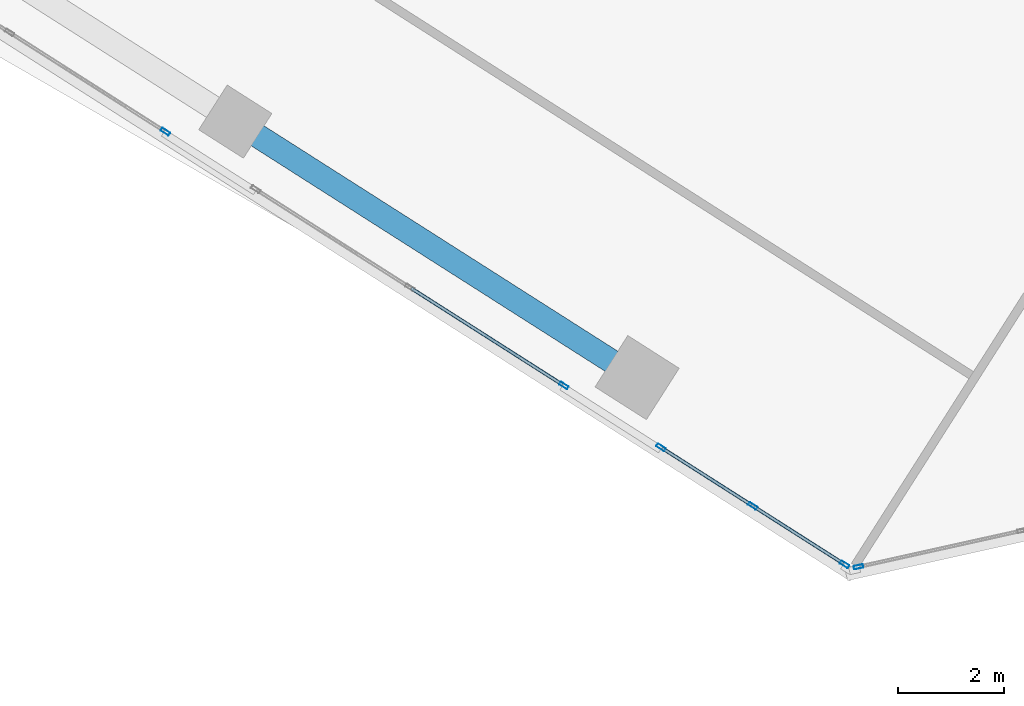
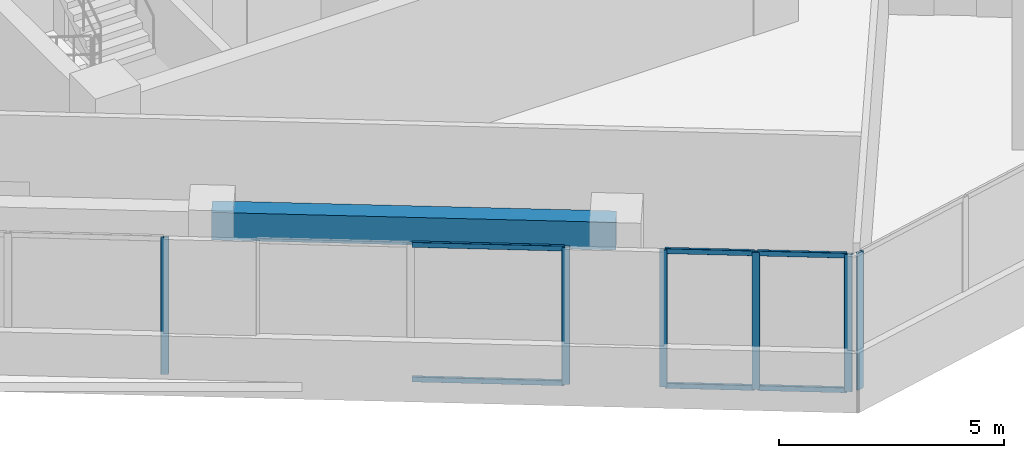
# One storey, part 3 of 23: 12 members, 1 beam, 4 elements without a shape of their own.
"""IFC4 building model written with IfcOpenShell, lengths in metres."""

from ifc_helpers import new_model, si_unit, direction, frame, origin, origin_2d, place, context, subcontext, project, spatial, rectangle, hollow_rectangle, extrude, source, transform, mapped, material, material_profile, profile_set, type_object, element, aggregate, save


model = new_model("IFC4")

# Units and contexts
model_context = context("Model", 3, precision=1e-05, world=origin(), true_north=direction((0.0, 1.0)))
body_context = subcontext(model_context, "Body", "Model", "MODEL_VIEW")
ifc_project = project(units=[si_unit("LENGTHUNIT", "METRE"), si_unit("AREAUNIT", "SQUARE_METRE"), si_unit("VOLUMEUNIT", "CUBIC_METRE"), si_unit("PLANEANGLEUNIT", "RADIAN"), si_unit("MASSUNIT", "GRAM", prefix="KILO")], contexts=[model_context])

# Site, building, storey
site_placement = place(None, origin())
site = spatial("IfcSite", under=ifc_project, at=site_placement, CompositionType="ELEMENT")
building_placement = place(site_placement, origin())
building = spatial("IfcBuilding", under=site, at=building_placement, Name="Torre Montelarca", CompositionType="ELEMENT")
storey_placement = place(building_placement, frame((0.0, 0.0, 187.60009765625)))
storey = spatial("IfcBuildingStorey", under=building, at=storey_placement, Name="L42", CompositionType="ELEMENT", Elevation=187.60009765625)

# Beam
ifc_material_1 = material(Name="Concrete C55/67", Category="concrete")
ifc_material_profile_1 = material_profile(ifc_material_1, rectangle(XDim=0.449951171875, YDim=0.75, at=origin_2d()), Name="RCB450X750", Category="concrete")
ifc_profile_set_1 = profile_set([ifc_material_profile_1], Name="Concrete C55/67")
beam_type = type_object("IfcBeamType", Name="BM-SP-RC750-EXT", PredefinedType="SPANDREL", material=ifc_profile_set_1)
shared_shape_1 = source(origin(), body_context, "Body", "SweptSolid", [
    extrude(rectangle(XDim=0.449951171875, YDim=0.75, at=origin_2d()), origin(), (0.0, 0.0, 1.0), 9.0),
])
beam_placement = place(storey_placement, frame((9.306640625, 19.374267578125, 3.5849609375), z_axis=(0.843393307865, -0.5372966855, 0.0), x_axis=(0.5372966855, 0.843393307865, 0.0)))
element("IfcBeam", 1, at=beam_placement, inside=storey, type_object=beam_type, Name="L42 Grid Girder X 18.0-27.0 at Y=14.8", PredefinedType="SPANDREL", context=body_context, shape_type="MappedRepresentation", body=[
    mapped(shared_shape_1, transform((0.0, 0.0, 0.0), scale=1.0)),
])

# Curtain wall, member
ifc_material_2 = material(Name="Insulated low-E laminated glass", Category="glass")
curtain_wall_type = type_object("IfcCurtainWallType", Name="CW-SYS-Z2", PredefinedType="USERDEFINED", material=ifc_material_2)
curtain_wall_1_placement = place(storey_placement, origin())
curtain_wall_1 = element("IfcCurtainWall", 2, at=curtain_wall_1_placement, inside=storey, type_object=curtain_wall_type, Name="L42 Curtain Wall Run CW-T3-L42-E01-B1", ObjectType="UNITISED GLAZING", PredefinedType="USERDEFINED")
ifc_material_3 = material(Name="Anodised aluminium AA 6063-T6", Category="aluminium")
ifc_material_profile_2 = material_profile(ifc_material_3, hollow_rectangle(XDim=0.06494140625, YDim=0.179931640625, WallThickness=0.00390625, InnerFilletRadius=0.00390625, OuterFilletRadius=0.008056640625, at=origin_2d()), Name="ALU65X180X4", Category="aluminium")
ifc_profile_set_2 = profile_set([ifc_material_profile_2], Name="Anodised aluminium AA 6063-T6")
member_type_1 = type_object("IfcMemberType", Name="CWM-ALU180", PredefinedType="MULLION", material=ifc_profile_set_2)
shared_shape_2 = source(origin(), body_context, "Body", "SweptSolid", [
    extrude(hollow_rectangle(XDim=0.06494140625, YDim=0.179931640625, WallThickness=0.00390625, InnerFilletRadius=0.00390625, OuterFilletRadius=0.008056640625, at=origin_2d()), origin(), (0.0, 0.0, 1.0), 3.719970703125),
])
member_1_placement = place(storey_placement, frame((7.985107421875, 19.1845703125, 0.0), z_axis=(0.0, 0.0, 1.0), x_axis=(0.537305573022, 0.843387645866, 0.0)))
member_1 = element("IfcMember", 3, at=member_1_placement, type_object=member_type_1, Name="CW mullion 3", PredefinedType="MULLION", context=body_context, shape_type="MappedRepresentation", body=[
    mapped(shared_shape_2, transform((0.0, 0.0, 0.0), scale=1.0)),
])
aggregate(curtain_wall_1, [member_1])

curtain_wall_2_placement = place(storey_placement, origin())
curtain_wall_2 = element("IfcCurtainWall", 4, at=curtain_wall_2_placement, inside=storey, type_object=curtain_wall_type, Name="L42 Curtain Wall Run CW-T3-L42-E01-B2", ObjectType="UNITISED GLAZING", PredefinedType="USERDEFINED")
member_2_placement = place(storey_placement, frame((15.512451171875, 14.38916015625, 0.0), z_axis=(0.0, 0.0, 1.0), x_axis=(0.53730184226, 0.843390022649, 0.0)))
member_2 = element("IfcMember", 5, at=member_2_placement, type_object=member_type_1, Name="CW mullion 3", PredefinedType="MULLION", context=body_context, shape_type="MappedRepresentation", body=[
    mapped(shared_shape_2, transform((0.0, 0.0, 0.0), scale=1.0)),
])

# Curtain wall, members
curtain_wall_3_placement = place(storey_placement, origin())
curtain_wall_3 = element("IfcCurtainWall", 6, at=curtain_wall_3_placement, inside=storey, type_object=curtain_wall_type, Name="L42 Curtain Wall Run CW-T3-L42-E01-B3", ObjectType="UNITISED GLAZING", PredefinedType="USERDEFINED")
member_3_placement = place(storey_placement, frame((17.346923828125, 13.220458984375, 0.0), z_axis=(0.0, 0.0, 1.0), x_axis=(0.537302748861, 0.843389445077, 0.0)))
member_3 = element("IfcMember", 7, at=member_3_placement, type_object=member_type_1, Name="CW mullion 1", PredefinedType="MULLION", context=body_context, shape_type="MappedRepresentation", body=[
    mapped(shared_shape_2, transform((0.0, 0.0, 0.0), scale=1.0)),
])
member_4_placement = place(storey_placement, frame((19.081787109375, 12.115234375, 0.0), z_axis=(0.0, 0.0, 1.0), x_axis=(0.537302748861, 0.843389445077, 0.0)))
member_4 = element("IfcMember", 8, at=member_4_placement, type_object=member_type_1, Name="CW mullion 2", PredefinedType="MULLION", context=body_context, shape_type="MappedRepresentation", body=[
    mapped(shared_shape_2, transform((0.0, 0.0, 0.0), scale=1.0)),
])
member_5_placement = place(storey_placement, frame((20.816650390625, 11.009765625, 0.0), z_axis=(0.0, 0.0, 1.0), x_axis=(0.537302748861, 0.843389445077, 0.0)))
member_5 = element("IfcMember", 9, at=member_5_placement, type_object=member_type_1, Name="CW mullion 3", PredefinedType="MULLION", context=body_context, shape_type="MappedRepresentation", body=[
    mapped(shared_shape_2, transform((0.0, 0.0, 0.0), scale=1.0)),
])

# Curtain wall, member
curtain_wall_4_placement = place(storey_placement, origin())
curtain_wall_4 = element("IfcCurtainWall", 10, at=curtain_wall_4_placement, inside=storey, type_object=curtain_wall_type, Name="L42 Curtain Wall Run CW-T3-L42-E02-B1", ObjectType="UNITISED GLAZING", PredefinedType="USERDEFINED")
member_6_placement = place(storey_placement, frame((21.07958984375, 10.963623046875, 0.0), z_axis=(0.0, 0.0, 1.0), x_axis=(-0.216434114018, 0.976297226407, 0.0)))
member_6 = element("IfcMember", 11, at=member_6_placement, type_object=member_type_1, Name="CW mullion 1", PredefinedType="MULLION", context=body_context, shape_type="MappedRepresentation", body=[
    mapped(shared_shape_2, transform((0.0, 0.0, 0.0), scale=1.0)),
])
aggregate(curtain_wall_4, [member_6])

# Member
ifc_material_profile_3 = material_profile(ifc_material_3, hollow_rectangle(XDim=0.06494140625, YDim=0.139892578125, WallThickness=0.00390625, InnerFilletRadius=0.00390625, OuterFilletRadius=0.008056640625, at=origin_2d()), Name="ALU65X140X4", Category="aluminium")
ifc_profile_set_3 = profile_set([ifc_material_profile_3], Name="Anodised aluminium AA 6063-T6")
member_type_2 = type_object("IfcMemberType", Name="CWT-ALU140", PredefinedType="USERDEFINED", material=ifc_profile_set_3)
shared_shape_3 = source(origin(), body_context, "Body", "SweptSolid", [
    extrude(hollow_rectangle(XDim=0.06494140625, YDim=0.139892578125, WallThickness=0.00390625, InnerFilletRadius=0.00390625, OuterFilletRadius=0.008056640625, at=origin_2d()), origin(), (0.0, 0.0, 1.0), 1.9921875),
])
member_7_placement = place(storey_placement, frame((17.374267578125, 13.202880859375, 0.032470703125), z_axis=(0.843409079761, -0.53727192759, 0.0), x_axis=(0.53727192759, 0.843409079761, 0.0)))
member_7 = element("IfcMember", 12, at=member_7_placement, type_object=member_type_2, Name="CW transom 1.1", ObjectType="TRANSOM", PredefinedType="USERDEFINED", context=body_context, shape_type="MappedRepresentation", body=[
    mapped(shared_shape_3, transform((0.0, 0.0, 0.0), scale=1.0)),
])

member_8_placement = place(storey_placement, frame((17.374267578125, 13.202880859375, 3.6875), z_axis=(0.843409079761, -0.53727192759, 0.0), x_axis=(0.53727192759, 0.843409079761, 0.0)))
member_8 = element("IfcMember", 13, at=member_8_placement, type_object=member_type_2, Name="CW transom 1.2", ObjectType="TRANSOM", PredefinedType="USERDEFINED", context=body_context, shape_type="MappedRepresentation", body=[
    mapped(shared_shape_3, transform((0.0, 0.0, 0.0), scale=1.0)),
])

member_9_placement = place(storey_placement, frame((19.109130859375, 12.09765625, 0.032470703125), z_axis=(0.843409079761, -0.53727192759, 0.0), x_axis=(0.53727192759, 0.843409079761, 0.0)))
member_9 = element("IfcMember", 14, at=member_9_placement, type_object=member_type_2, Name="CW transom 2.1", ObjectType="TRANSOM", PredefinedType="USERDEFINED", context=body_context, shape_type="MappedRepresentation", body=[
    mapped(shared_shape_3, transform((0.0, 0.0, 0.0), scale=1.0)),
])

member_10_placement = place(storey_placement, frame((19.109130859375, 12.09765625, 3.6875), z_axis=(0.843409079761, -0.53727192759, 0.0), x_axis=(0.53727192759, 0.843409079761, 0.0)))
member_10 = element("IfcMember", 15, at=member_10_placement, type_object=member_type_2, Name="CW transom 2.2", ObjectType="TRANSOM", PredefinedType="USERDEFINED", context=body_context, shape_type="MappedRepresentation", body=[
    mapped(shared_shape_3, transform((0.0, 0.0, 0.0), scale=1.0)),
])

aggregate(curtain_wall_3, [member_3, member_4, member_5, member_7, member_8, member_9, member_10])

shared_shape_4 = source(origin(), body_context, "Body", "SweptSolid", [
    extrude(hollow_rectangle(XDim=0.06494140625, YDim=0.139892578125, WallThickness=0.00390625, InnerFilletRadius=0.00390625, OuterFilletRadius=0.008056640625, at=origin_2d()), origin(), (0.0, 0.0, 1.0), 3.38525390625),
])
member_11_placement = place(storey_placement, frame((12.630126953125, 16.225341796875, 0.032470703125), z_axis=(0.84338816549, -0.537304757388, 0.0), x_axis=(0.537304757388, 0.84338816549, 0.0)))
member_11 = element("IfcMember", 16, at=member_11_placement, type_object=member_type_2, Name="CW transom 2.1", ObjectType="TRANSOM", PredefinedType="USERDEFINED", context=body_context, shape_type="MappedRepresentation", body=[
    mapped(shared_shape_4, transform((0.0, 0.0, 0.0), scale=1.0)),
])

member_12_placement = place(storey_placement, frame((12.630126953125, 16.225341796875, 3.6875), z_axis=(0.84338816549, -0.537304757388, 0.0), x_axis=(0.537304757388, 0.84338816549, 0.0)))
member_12 = element("IfcMember", 17, at=member_12_placement, type_object=member_type_2, Name="CW transom 2.2", ObjectType="TRANSOM", PredefinedType="USERDEFINED", context=body_context, shape_type="MappedRepresentation", body=[
    mapped(shared_shape_4, transform((0.0, 0.0, 0.0), scale=1.0)),
])

aggregate(curtain_wall_2, [member_2, member_11, member_12])

save(model, "model.ifc")
